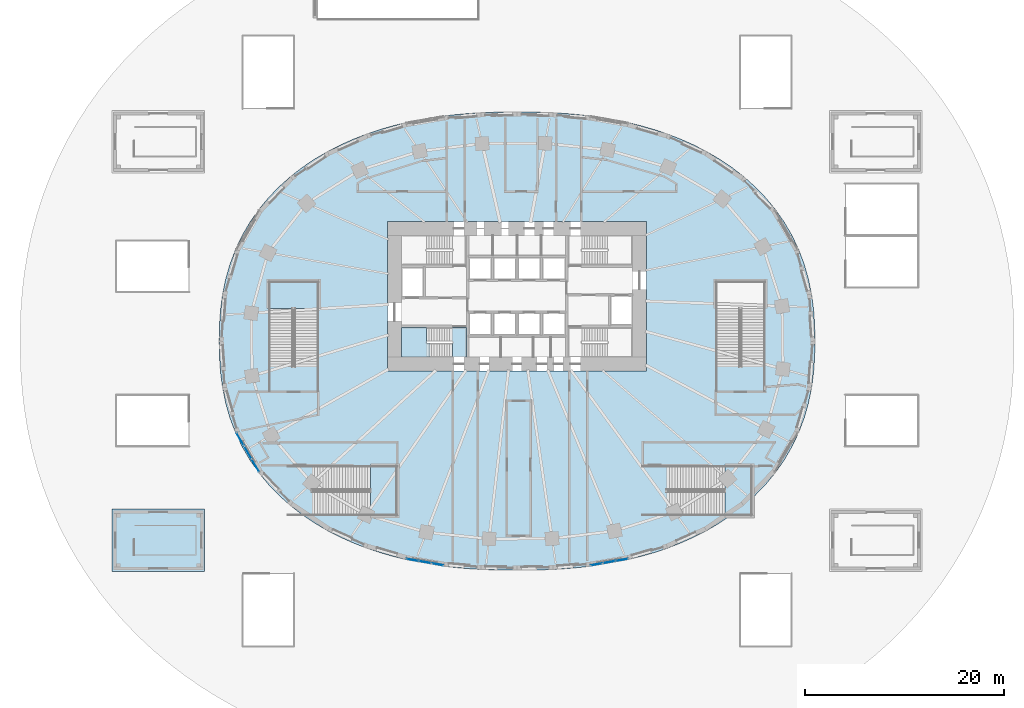
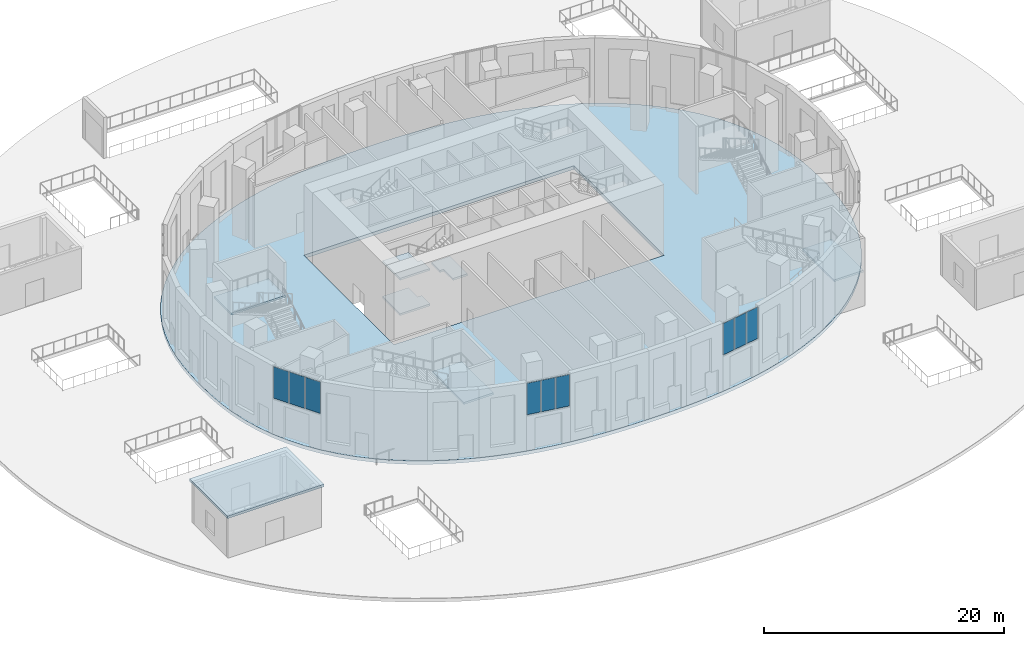
# One storey, part 8 of 27: 9 plates, 8 slabs, 7 elements without a shape of their own.
"""IFC4 building model written with IfcOpenShell, lengths in metres."""

from ifc_helpers import new_model, si_unit, direction, frame, origin, origin_2d, place, context, subcontext, project, spatial, polyline, rectangle, outline, extrude, material, layer, layer_set, type_object, element, aggregate, save


model = new_model("IFC4")

# Units and contexts
model_context = context("Model", 3, precision=1e-05, world=origin(), true_north=direction((0.0, 1.0)))
body_context = subcontext(model_context, "Body", "Model", "MODEL_VIEW")
ifc_project = project(units=[si_unit("LENGTHUNIT", "METRE"), si_unit("AREAUNIT", "SQUARE_METRE"), si_unit("VOLUMEUNIT", "CUBIC_METRE"), si_unit("PLANEANGLEUNIT", "RADIAN"), si_unit("MASSUNIT", "GRAM", prefix="KILO")], contexts=[model_context])

# Site, building, storey
site_placement = place(None, origin())
site = spatial("IfcSite", under=ifc_project, at=site_placement, CompositionType="ELEMENT")
building_placement = place(site_placement, origin())
building = spatial("IfcBuilding", under=site, at=building_placement, Name="Rubra Terraces Tower", CompositionType="ELEMENT")
storey_placement = place(building_placement, origin())
storey = spatial("IfcBuildingStorey", under=building, at=storey_placement, Name="L00", CompositionType="ELEMENT", Elevation=0.0)

# Stair, slabs
ifc_material_1 = material(Name="Concrete C40", Category="concrete")
stair_type_1 = type_object("IfcStairType", Name="Core stair 1400", PredefinedType="HALF_TURN_STAIR", material=ifc_material_1)
stair_1_placement = place(storey_placement, origin())
stair_1 = element("IfcStair", 1, at=stair_1_placement, inside=storey, type_object=stair_type_1, Name="L00 Exit stair S1", PredefinedType="HALF_TURN_STAIR")
ifc_layer_1 = layer(ifc_material_1, 0.199951171875)
ifc_layer_set_1 = layer_set([ifc_layer_1], Name="Concrete C40")
slab_type_1 = type_object("IfcSlabType", Name="Core stair landing 200", PredefinedType="LANDING", material=ifc_layer_set_1)
slab_1_placement = place(storey_placement, frame((0.0, 0.0, 1.60009765625)))
slab_1 = element("IfcSlab", 2, at=slab_1_placement, type_object=slab_type_1, Name="S1 landing 1", PredefinedType="LANDING", context=body_context, shape_type="SweptSolid", body=[
    extrude(outline(polyline([(-8.719970703125, -0.199951171875), (-8.719970703125, -1.60009765625), (-9.10009765625, -1.60009765625), (-9.1201171875, -1.60009765625), (-11.60009765625, -1.60009765625), (-11.60009765625, 1.35009765625), (-9.1201171875, 1.35009765625), (-9.097900390625, 1.35009765625), (-9.097900390625, -0.050048828125), (-9.10009765625, -0.050048828125), (-9.10009765625, -0.199951171875), (-8.719970703125, -0.199951171875)])), origin(), (0.0, 0.0, 1.0), 0.199951171875),
])
slab_2_placement = place(storey_placement, frame((0.0, 0.0, 3.39990234375)))
slab_2 = element("IfcSlab", 3, at=slab_2_placement, type_object=slab_type_1, Name="S1 landing 2", PredefinedType="LANDING", context=body_context, shape_type="SweptSolid", body=[
    extrude(outline(polyline([(-6.5, -0.199951171875), (-6.5, -0.050048828125), (-6.8798828125, -0.050048828125), (-6.8798828125, 1.35009765625), (-6.5, 1.35009765625), (-6.47998046875, 1.35009765625), (-5.10009765625, 1.35009765625), (-5.10009765625, -1.60009765625), (-6.47998046875, -1.60009765625), (-6.5, -1.60009765625), (-6.501953125, -1.60009765625), (-6.501953125, -0.199951171875), (-6.5, -0.199951171875)])), origin(), (0.0, 0.0, 1.0), 0.2001953125),
])
slab_3_placement = place(storey_placement, frame((0.0, 0.0, 5.199951171875)))
slab_3 = element("IfcSlab", 4, at=slab_3_placement, type_object=slab_type_1, Name="S1 landing 3", PredefinedType="LANDING", context=body_context, shape_type="SweptSolid", body=[
    extrude(outline(polyline([(-8.719970703125, -0.199951171875), (-8.719970703125, -1.60009765625), (-9.10009765625, -1.60009765625), (-9.1201171875, -1.60009765625), (-11.60009765625, -1.60009765625), (-11.60009765625, 1.35009765625), (-9.1201171875, 1.35009765625), (-9.097900390625, 1.35009765625), (-9.097900390625, -0.050048828125), (-9.10009765625, -0.050048828125), (-9.10009765625, -0.199951171875), (-8.719970703125, -0.199951171875)])), origin(), (0.0, 0.0, 1.0), 0.199951171875),
])
aggregate(stair_1, [slab_1, slab_2, slab_3])

# Curtain wall, plates
ifc_material_2 = material(Name="Aluminium and glass", Category="aluminium")
curtain_wall_type = type_object("IfcCurtainWallType", Name="Curtain wall Entrance screen glazing", PredefinedType="NOTDEFINED", material=ifc_material_2)
curtain_wall_1_placement = place(storey_placement, origin())
curtain_wall_1 = element("IfcCurtainWall", 5, at=curtain_wall_1_placement, inside=storey, type_object=curtain_wall_type, Name="L00 entrance screen bay 23", PredefinedType="NOTDEFINED")
ifc_material_3 = material(Name="Clear glass, laminated", Category="glass")
ifc_layer_2 = layer(ifc_material_3, 0.028076171875)
ifc_layer_set_2 = layer_set([ifc_layer_2], Name="Clear glass, laminated")
plate_type = type_object("IfcPlateType", Name="Entrance screen glazing glass panel 28", PredefinedType="CURTAIN_PANEL", material=ifc_layer_set_2)
plate_1_placement = place(storey_placement, frame((-27.805908203125, -9.83154296875, 3.64990234375), z_axis=(0.0, 0.0, 1.0), x_axis=(0.502094070187, -0.864813011398, 0.0)))
plate_1 = element("IfcPlate", 6, at=plate_1_placement, type_object=plate_type, Name="CW5 panel 1.1", PredefinedType="CURTAIN_PANEL", context=body_context, shape_type="SweptSolid", body=[
    extrude(rectangle(XDim=1.462158203125, YDim=0.028076171875, at=origin_2d()), origin(), (0.0, 0.0, 1.0), 3.199951171875),
])
plate_2_placement = place(storey_placement, frame((-27.0341796875, -11.160888671875, 3.64990234375), z_axis=(0.0, 0.0, 1.0), x_axis=(0.502094070187, -0.864813011398, 0.0)))
plate_2 = element("IfcPlate", 7, at=plate_2_placement, type_object=plate_type, Name="CW5 panel 2.1", PredefinedType="CURTAIN_PANEL", context=body_context, shape_type="SweptSolid", body=[
    extrude(rectangle(XDim=1.4921875, YDim=0.028076171875, at=origin_2d()), origin(), (0.0, 0.0, 1.0), 3.199951171875),
])
plate_3_placement = place(storey_placement, frame((-26.26220703125, -12.490234375, 3.64990234375), z_axis=(0.0, 0.0, 1.0), x_axis=(0.502094070187, -0.864813011398, 0.0)))
plate_3 = element("IfcPlate", 8, at=plate_3_placement, type_object=plate_type, Name="CW5 panel 3.1", PredefinedType="CURTAIN_PANEL", context=body_context, shape_type="SweptSolid", body=[
    extrude(rectangle(XDim=1.462158203125, YDim=0.028076171875, at=origin_2d()), origin(), (0.0, 0.0, 1.0), 3.199951171875),
])
aggregate(curtain_wall_1, [plate_1, plate_2, plate_3])

curtain_wall_2_placement = place(storey_placement, origin())
curtain_wall_2 = element("IfcCurtainWall", 9, at=curtain_wall_2_placement, inside=storey, type_object=curtain_wall_type, Name="L00 entrance screen bay 28", PredefinedType="NOTDEFINED")
plate_4_placement = place(storey_placement, frame((-10.5068359375, -21.96875, 3.64990234375), z_axis=(0.0, 0.0, 1.0), x_axis=(0.984953952909, -0.172816985997, 0.0)))
plate_4 = element("IfcPlate", 10, at=plate_4_placement, type_object=plate_type, Name="CW5 panel 1.1", PredefinedType="CURTAIN_PANEL", context=body_context, shape_type="SweptSolid", body=[
    extrude(rectangle(XDim=1.2060546875, YDim=0.028076171875, at=origin_2d()), origin(), (0.0, 0.0, 1.0), 3.199951171875),
])
plate_5_placement = place(storey_placement, frame((-9.2451171875, -22.190185546875, 3.64990234375), z_axis=(0.0, 0.0, 1.0), x_axis=(0.984953952909, -0.172816985997, 0.0)))
plate_5 = element("IfcPlate", 11, at=plate_5_placement, type_object=plate_type, Name="CW5 panel 2.1", PredefinedType="CURTAIN_PANEL", context=body_context, shape_type="SweptSolid", body=[
    extrude(rectangle(XDim=1.236083984375, YDim=0.028076171875, at=origin_2d()), origin(), (0.0, 0.0, 1.0), 3.199951171875),
])
plate_6_placement = place(storey_placement, frame((-7.983154296875, -22.41162109375, 3.64990234375), z_axis=(0.0, 0.0, 1.0), x_axis=(0.984953952909, -0.172816985997, 0.0)))
plate_6 = element("IfcPlate", 12, at=plate_6_placement, type_object=plate_type, Name="CW5 panel 3.1", PredefinedType="CURTAIN_PANEL", context=body_context, shape_type="SweptSolid", body=[
    extrude(rectangle(XDim=1.2060546875, YDim=0.028076171875, at=origin_2d()), origin(), (0.0, 0.0, 1.0), 3.199951171875),
])
aggregate(curtain_wall_2, [plate_4, plate_5, plate_6])

curtain_wall_3_placement = place(storey_placement, origin())
curtain_wall_3 = element("IfcCurtainWall", 13, at=curtain_wall_3_placement, inside=storey, type_object=curtain_wall_type, Name="L00 entrance screen bay 33", PredefinedType="NOTDEFINED")
plate_7_placement = place(storey_placement, frame((7.983154296875, -22.41162109375, 3.64990234375), z_axis=(0.0, 0.0, 1.0), x_axis=(0.984953952909, 0.172816985997, 0.0)))
plate_7 = element("IfcPlate", 14, at=plate_7_placement, type_object=plate_type, Name="CW5 panel 1.1", PredefinedType="CURTAIN_PANEL", context=body_context, shape_type="SweptSolid", body=[
    extrude(rectangle(XDim=1.2060546875, YDim=0.028076171875, at=origin_2d()), origin(), (0.0, 0.0, 1.0), 3.199951171875),
])
plate_8_placement = place(storey_placement, frame((9.2451171875, -22.190185546875, 3.64990234375), z_axis=(0.0, 0.0, 1.0), x_axis=(0.984953952909, 0.172816985997, 0.0)))
plate_8 = element("IfcPlate", 15, at=plate_8_placement, type_object=plate_type, Name="CW5 panel 2.1", PredefinedType="CURTAIN_PANEL", context=body_context, shape_type="SweptSolid", body=[
    extrude(rectangle(XDim=1.236083984375, YDim=0.028076171875, at=origin_2d()), origin(), (0.0, 0.0, 1.0), 3.199951171875),
])
plate_9_placement = place(storey_placement, frame((10.5068359375, -21.96875, 3.64990234375), z_axis=(0.0, 0.0, 1.0), x_axis=(0.984953952909, 0.172816985997, 0.0)))
plate_9 = element("IfcPlate", 16, at=plate_9_placement, type_object=plate_type, Name="CW5 panel 3.1", PredefinedType="CURTAIN_PANEL", context=body_context, shape_type="SweptSolid", body=[
    extrude(rectangle(XDim=1.2060546875, YDim=0.028076171875, at=origin_2d()), origin(), (0.0, 0.0, 1.0), 3.199951171875),
])
aggregate(curtain_wall_3, [plate_7, plate_8, plate_9])

# Slabs
ifc_layer_3 = layer(ifc_material_1, 0.35009765625)
ifc_layer_set_3 = layer_set([ifc_layer_3], Name="Concrete C40")
slab_type_2 = type_object("IfcSlabType", Name="FLOOR SLAB 350 COMPOSITE", PredefinedType="FLOOR", material=ifc_layer_set_3)
slab_4_placement = place(storey_placement, frame((0.0, 0.0, -0.35009765625)))
element("IfcSlab", 17, at=slab_4_placement, inside=storey, type_object=slab_type_2, Name="FLOOR SLAB L00", PredefinedType="FLOOR", context=body_context, shape_type="SweptSolid", body=[
    extrude(outline(polyline([(19.02587890625, -19.02587890625), (20.31591796875, -18.27001953125), (21.555908203125, -17.43505859375), (22.739013671875, -16.52099609375), (23.885009765625, -15.5), (24.951904296875, -14.39501953125), (25.929931640625, -13.2119140625), (26.820068359375, -11.93603515625), (27.60205078125, -10.591064453125), (28.26806640625, -9.18505859375), (28.819091796875, -7.719970703125), (29.25, -6.216064453125), (29.56298828125, -4.681884765625), (29.76708984375, -3.12890625), (29.873046875, -1.56591796875), (29.89990234375, 0.0), (29.873046875, 1.56591796875), (29.76708984375, 3.12890625), (29.56298828125, 4.681884765625), (29.25, 6.216064453125), (28.819091796875, 7.719970703125), (28.26806640625, 9.18505859375), (27.60205078125, 10.591064453125), (26.820068359375, 11.93603515625), (25.929931640625, 13.2119140625), (24.951904296875, 14.39501953125), (23.885009765625, 15.5), (22.739013671875, 16.52099609375), (21.555908203125, 17.43505859375), (20.31591796875, 18.27001953125), (19.02587890625, 19.02587890625), (17.7490234375, 19.679931640625), (16.43896484375, 20.264892578125), (15.10107421875, 20.784912109375), (13.80810546875, 21.219970703125), (12.4970703125, 21.60009765625), (11.173095703125, 21.927978515625), (9.904052734375, 22.194091796875), (8.626953125, 22.4169921875), (7.343017578125, 22.60009765625), (6.10791015625, 22.739013671875), (4.87109375, 22.844970703125), (3.6298828125, 22.922119140625), (2.4208984375, 22.968994140625), (1.2109375, 22.993896484375), (0.0, 23.0), (-1.2109375, 22.993896484375), (-2.4208984375, 22.968994140625), (-3.6298828125, 22.922119140625), (-4.87109375, 22.844970703125), (-6.10791015625, 22.739013671875), (-7.343017578125, 22.60009765625), (-8.626953125, 22.4169921875), (-9.904052734375, 22.194091796875), (-11.173095703125, 21.927978515625), (-12.4970703125, 21.60009765625), (-13.80810546875, 21.219970703125), (-15.10107421875, 20.784912109375), (-16.43896484375, 20.264892578125), (-17.7490234375, 19.679931640625), (-19.02587890625, 19.02587890625), (-20.31591796875, 18.27001953125), (-21.555908203125, 17.43505859375), (-22.739013671875, 16.52099609375), (-23.885009765625, 15.5), (-24.951904296875, 14.39501953125), (-25.929931640625, 13.2119140625), (-26.820068359375, 11.93603515625), (-27.60205078125, 10.591064453125), (-28.26806640625, 9.18505859375), (-28.819091796875, 7.719970703125), (-29.25, 6.216064453125), (-29.56298828125, 4.681884765625), (-29.76708984375, 3.12890625), (-29.873046875, 1.56591796875), (-29.89990234375, 0.0), (-29.873046875, -1.56591796875), (-29.76708984375, -3.12890625), (-29.56298828125, -4.681884765625), (-29.25, -6.216064453125), (-28.819091796875, -7.719970703125), (-28.26806640625, -9.18505859375), (-27.60205078125, -10.591064453125), (-26.820068359375, -11.93603515625), (-25.929931640625, -13.2119140625), (-24.951904296875, -14.39501953125), (-23.885009765625, -15.5), (-22.739013671875, -16.52099609375), (-21.555908203125, -17.43505859375), (-20.31591796875, -18.27001953125), (-19.02587890625, -19.02587890625), (-17.7490234375, -19.679931640625), (-16.43896484375, -20.264892578125), (-15.10107421875, -20.784912109375), (-13.80810546875, -21.219970703125), (-12.4970703125, -21.60009765625), (-11.173095703125, -21.927978515625), (-9.904052734375, -22.194091796875), (-8.626953125, -22.4169921875), (-7.343017578125, -22.60009765625), (-6.10791015625, -22.739013671875), (-4.87109375, -22.844970703125), (-3.6298828125, -22.922119140625), (-2.4208984375, -22.968994140625), (-1.2109375, -22.993896484375), (0.0, -23.0), (1.2109375, -22.993896484375), (2.4208984375, -22.968994140625), (3.6298828125, -22.922119140625), (4.87109375, -22.844970703125), (6.10791015625, -22.739013671875), (7.343017578125, -22.60009765625), (8.626953125, -22.4169921875), (9.904052734375, -22.194091796875), (11.173095703125, -21.927978515625), (12.4970703125, -21.60009765625), (13.80810546875, -21.219970703125), (15.10107421875, -20.784912109375), (16.43896484375, -20.264892578125), (17.7490234375, -19.679931640625), (19.02587890625, -19.02587890625)]), holes=[polyline([(-13.0, -3.0), (-13.0, 12.0), (13.0, 12.0), (13.0, -3.0), (-13.0, -3.0)])]), origin(), (0.0, 0.0, 1.0), 0.35009765625),
])
ifc_material_4 = material(Name="Concrete C35/45", Category="concrete")
ifc_layer_4 = layer(ifc_material_4, 0.25)
ifc_layer_set_4 = layer_set([ifc_layer_4], Name="Concrete C35/45")
slab_type_3 = type_object("IfcSlabType", Name="Pavilion roof slab 250", PredefinedType="ROOF", material=ifc_layer_set_4)
slab_5_placement = place(storey_placement, frame((0.0, 0.0, 4.199951171875)))
element("IfcSlab", 18, at=slab_5_placement, inside=storey, type_object=slab_type_3, Name="Pavilion roof SP3", PredefinedType="ROOF", context=body_context, shape_type="SweptSolid", body=[
    extrude(outline(polyline([(-40.64990234375, -23.14990234375), (-31.35009765625, -23.14990234375), (-31.35009765625, -16.85009765625), (-40.64990234375, -16.85009765625), (-40.64990234375, -23.14990234375)])), origin(), (0.0, 0.0, 1.0), 0.25),
])

# Stair, slab
ifc_material_5 = material(Name="Concrete C40/50", Category="concrete")
stair_type_2 = type_object("IfcStairType", Name="Public stair", PredefinedType="HALF_TURN_STAIR", material=ifc_material_5)
stair_2_placement = place(storey_placement, origin())
stair_2 = element("IfcStair", 19, at=stair_2_placement, inside=storey, type_object=stair_type_2, Name="L00 public stair PS1", PredefinedType="HALF_TURN_STAIR")
ifc_layer_5 = layer(ifc_material_5, 0.199951171875)
ifc_layer_set_5 = layer_set([ifc_layer_5], Name="Concrete C40/50")
slab_type_4 = type_object("IfcSlabType", Name="Public stair landing 200", PredefinedType="LANDING", material=ifc_layer_set_5)
slab_6_placement = place(storey_placement, frame((0.0, 0.0, 3.39990234375)))
slab_6 = element("IfcSlab", 20, at=slab_6_placement, type_object=slab_type_4, Name="PS1 landing 1", PredefinedType="LANDING", context=body_context, shape_type="SweptSolid", body=[
    extrude(outline(polyline([(-25.050048828125, 3.280029296875), (-19.800048828125, 3.280029296875), (-19.800048828125, 6.110107421875), (-25.050048828125, 6.110107421875), (-25.050048828125, 3.280029296875)])), origin(), (0.0, 0.0, 1.0), 0.2001953125),
])
aggregate(stair_2, [slab_6])

stair_3_placement = place(storey_placement, origin())
stair_3 = element("IfcStair", 21, at=stair_3_placement, inside=storey, type_object=stair_type_2, Name="L00 public stair PS3", PredefinedType="HALF_TURN_STAIR")
slab_7_placement = place(storey_placement, frame((0.0, 0.0, 3.39990234375)))
slab_7 = element("IfcSlab", 22, at=slab_7_placement, type_object=slab_type_4, Name="PS3 landing 1", PredefinedType="LANDING", context=body_context, shape_type="SweptSolid", body=[
    extrude(outline(polyline([(-14.719970703125, -17.64990234375), (-11.889892578125, -17.64990234375), (-11.889892578125, -12.39990234375), (-14.719970703125, -12.39990234375), (-14.719970703125, -17.64990234375)])), origin(), (0.0, 0.0, 1.0), 0.2001953125),
])
aggregate(stair_3, [slab_7])

stair_4_placement = place(storey_placement, origin())
stair_4 = element("IfcStair", 23, at=stair_4_placement, inside=storey, type_object=stair_type_2, Name="L00 public stair PS4", PredefinedType="HALF_TURN_STAIR")
slab_8_placement = place(storey_placement, frame((0.0, 0.0, 3.39990234375)))
slab_8 = element("IfcSlab", 24, at=slab_8_placement, type_object=slab_type_4, Name="PS4 landing 1", PredefinedType="LANDING", context=body_context, shape_type="SweptSolid", body=[
    extrude(outline(polyline([(20.8798828125, -17.64990234375), (23.7099609375, -17.64990234375), (23.7099609375, -12.39990234375), (20.8798828125, -12.39990234375), (20.8798828125, -17.64990234375)])), origin(), (0.0, 0.0, 1.0), 0.2001953125),
])
aggregate(stair_4, [slab_8])

save(model, "model.ifc")
